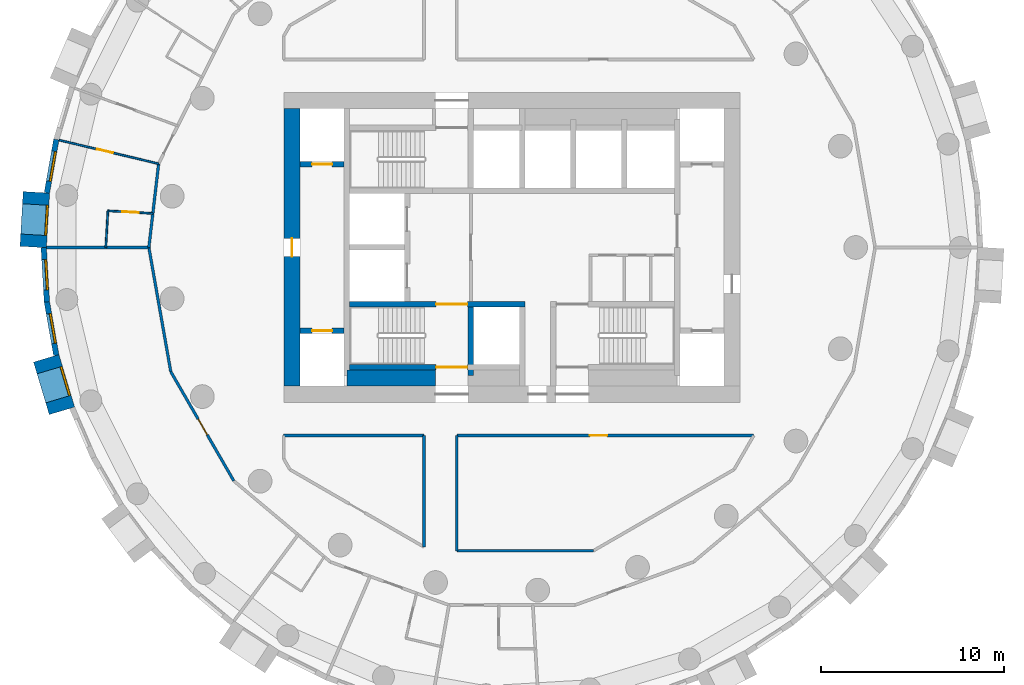
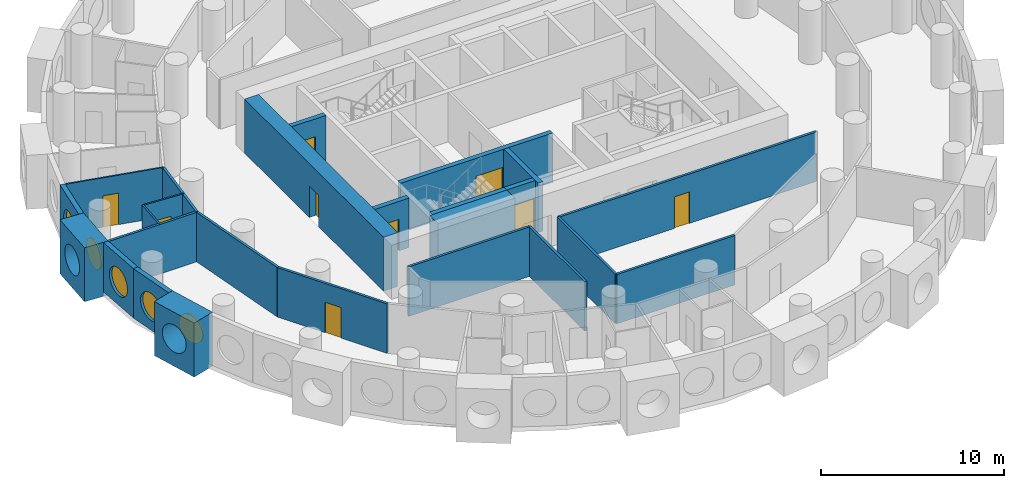
# One storey, part 3 of 9: 25 walls, 9 doors, 5 windows, 14 openings.
"""IFC4 building model written with IfcOpenShell, lengths in metres."""

from ifc_helpers import new_model, si_unit, direction, frame, frame_2d, origin, origin_2d, place, context, subcontext, project, spatial, rectangle, circle, extrude, material, layer, layer_set, type_object, element, fill, save


model = new_model("IFC4")

# Units and contexts
model_context = context("Model", 3, precision=1e-05, world=origin(), true_north=direction((0.0, 1.0)))
body_context = subcontext(model_context, "Body", "Model", "MODEL_VIEW")
ifc_project = project(units=[si_unit("LENGTHUNIT", "METRE"), si_unit("AREAUNIT", "SQUARE_METRE"), si_unit("VOLUMEUNIT", "CUBIC_METRE"), si_unit("PLANEANGLEUNIT", "RADIAN"), si_unit("MASSUNIT", "GRAM", prefix="KILO")], contexts=[model_context])

# Site, building, storey
site_placement = place(None, origin())
site = spatial("IfcSite", under=ifc_project, at=site_placement, CompositionType="ELEMENT")
building_placement = place(site_placement, origin())
building = spatial("IfcBuilding", under=site, at=building_placement, Name="Tracery Tower", CompositionType="ELEMENT")
storey_placement = place(building_placement, frame((0.0, 0.0, 180.0)))
storey = spatial("IfcBuildingStorey", under=building, at=storey_placement, Name="L46", CompositionType="ELEMENT", Elevation=180.0)

# Wall
ifc_material_1 = material(Name="Concrete C50/60", Category="concrete")
ifc_layer_1 = layer(ifc_material_1, 0.89990234375)
ifc_layer_set_1 = layer_set([ifc_layer_1], Name="Core strip wall 900 C50")
wall_type_1 = type_object("IfcWallType", Name="Core strip wall 900 C50", PredefinedType="SOLIDWALL", material=ifc_layer_set_1)
wall_1_placement = place(storey_placement, frame((-9.050048828125, -7.14990234375, 0.0), z_axis=(0.0, 0.0, 1.0), x_axis=(1.0, 0.0, 0.0)))
element("IfcWall", 1, at=wall_1_placement, inside=storey, type_object=wall_type_1, Name="L46 F thick S W", PredefinedType="SOLIDWALL", context=body_context, shape_type="SweptSolid", body=[
    extrude(rectangle(XDim=4.85009765625, YDim=0.89990234375, at=frame_2d((2.425048828125, 0.0))), origin(), (0.0, 0.0, 1.0), 3.300048828125),
])

# Wall, opening, door
ifc_material_2 = material(Name="Concrete C50/60", Category="concrete")
ifc_layer_2 = layer(ifc_material_2, 0.89990234375)
ifc_layer_set_2 = layer_set([ifc_layer_2], Name="Core wall 900 C50")
wall_type_2 = type_object("IfcWallType", Name="Core wall 900 C50", PredefinedType="SOLIDWALL", material=ifc_layer_set_2)
wall_2_placement = place(storey_placement, frame((-12.050048828125, -7.60009765625, 0.0), z_axis=(0.0, 0.0, 1.0), x_axis=(0.0, 1.0, 0.0)))
wall_2 = element("IfcWall", 2, at=wall_2_placement, inside=storey, type_object=wall_type_2, Name="L46 outer W", PredefinedType="SOLIDWALL", context=body_context, shape_type="SweptSolid", body=[
    extrude(rectangle(XDim=15.2001953125, YDim=0.89990234375, at=frame_2d((7.60009765625, 0.0))), origin(), (0.0, 0.0, 1.0), 3.60009765625),
])
opening_1_placement = place(wall_2_placement, frame((7.10009765625, 0.0, 0.0)))
opening_1 = element("IfcOpeningElement", 3, at=opening_1_placement, cuts=wall_2, Name="Opening KD18", PredefinedType="OPENING", context=body_context, shape_type="SweptSolid", body=[
    extrude(rectangle(XDim=1.0, YDim=2.10009765625, at=frame_2d((0.5, 1.050048828125))), frame((0.0, 0.449951171875, 0.0), z_axis=(0.0, -1.0, 0.0), x_axis=(1.0, 0.0, 0.0)), (0.0, 0.0, 1.0), 0.89990234375),
])
ifc_material_3 = material(Name="Steel fire door", Category="steel")
door_type_1 = type_object("IfcDoorType", Name="Core exit door 1000", OperationType="NOTDEFINED", PredefinedType="DOOR", material=ifc_material_3)
door_1_placement = place(opening_1_placement, origin())
door_1 = element("IfcDoor", 4, at=door_1_placement, inside=storey, type_object=door_type_1, Name="Core exit door", OperationType="DOUBLE_DOOR_SINGLE_SWING", OverallHeight=2.10009765625, OverallWidth=1.0, PredefinedType="DOOR", context=body_context, shape_type="SweptSolid", body=[
    extrude(rectangle(XDim=1.0, YDim=2.10009765625, at=frame_2d((0.5, 1.050048828125))), frame((0.0, 0.02490234375, 0.0), z_axis=(0.0, -1.0, 0.0), x_axis=(1.0, 0.0, 0.0)), (0.0, 0.0, 1.0), 0.050048828125),
])
fill(opening_1, door_1)

# Wall, opening, window
ifc_material_4 = material(Name="Precast concrete C50/60", Category="concrete")
ifc_layer_3 = layer(ifc_material_4, 1.449951171875)
ifc_layer_set_3 = layer_set([ifc_layer_3], Name="Deep-set bay unit 3000 x 3600, slab edge 300")
wall_type_3 = type_object("IfcWallType", Name="Deep-set bay unit 3000 x 3600, slab edge 300", PredefinedType="ELEMENTEDWALL", material=ifc_layer_set_3)
wall_3_placement = place(storey_placement, frame((-26.047607421875, 3.01953125, -0.300048828125), z_axis=(0.0, 0.0, 1.0), x_axis=(-0.058106596105, -0.998310384344, 0.0)))
wall_3 = element("IfcWall", 5, at=wall_3_placement, inside=storey, type_object=wall_type_3, Name="Deep-set bay unit 27 at L46", PredefinedType="ELEMENTEDWALL", context=body_context, shape_type="SweptSolid", body=[
    extrude(rectangle(XDim=3.0, YDim=1.449951171875, at=frame_2d((1.5, 0.0))), origin(), (0.0, 0.0, 1.0), 3.60009765625),
])
opening_2_placement = place(wall_3_placement, frame((1.5, 0.0, 1.85009765625)))
opening_2 = element("IfcOpeningElement", 6, at=opening_2_placement, cuts=wall_3, Name="Opening WN1", PredefinedType="OPENING", context=body_context, shape_type="SweptSolid", body=[
    extrude(circle(Radius=0.9000244140625, at=origin_2d()), frame((0.0, 0.73486328125, 0.0), z_axis=(0.0, -1.0, 0.0), x_axis=(1.0, 0.0, 0.0)), (0.0, 0.0, 1.0), 1.469970703125),
])
ifc_material_5 = material(Name="Aluminium frame with tinted double glazing", Category="aluminium")
window_type = type_object("IfcWindowType", Name="Round window 1800", PartitioningType="SINGLE_PANEL", PredefinedType="WINDOW", material=ifc_material_5)
window_1_placement = place(opening_2_placement, origin())
window_1 = element("IfcWindow", 7, at=window_1_placement, inside=storey, type_object=window_type, Name="Round window 27 at L46", OverallHeight=1.800048828125, OverallWidth=1.800048828125, PartitioningType="SINGLE_PANEL", PredefinedType="WINDOW", context=body_context, shape_type="SweptSolid", body=[
    extrude(circle(Radius=0.9000244140625, at=origin_2d()), frame((0.0, 0.69482421875, 0.0), z_axis=(0.0, -1.0, 0.0), x_axis=(1.0, 0.0, 0.0)), (0.0, 0.0, 1.0), 0.10009765625),
])
fill(opening_2, window_1)

wall_4_placement = place(storey_placement, frame((-25.509521484375, -6.0712890625, -0.300048828125), z_axis=(0.0, 0.0, 1.0), x_axis=(0.286780420304, -0.957996341606, 0.0)))
wall_4 = element("IfcWall", 8, at=wall_4_placement, inside=storey, type_object=wall_type_3, Name="Deep-set bay unit 30 at L46", PredefinedType="ELEMENTEDWALL", context=body_context, shape_type="SweptSolid", body=[
    extrude(rectangle(XDim=3.0, YDim=1.449951171875, at=frame_2d((1.5, 0.0))), origin(), (0.0, 0.0, 1.0), 3.60009765625),
])
opening_3_placement = place(wall_4_placement, frame((1.5, 0.0, 1.85009765625)))
opening_3 = element("IfcOpeningElement", 9, at=opening_3_placement, cuts=wall_4, Name="Opening WN1", PredefinedType="OPENING", context=body_context, shape_type="SweptSolid", body=[
    extrude(circle(Radius=0.9000244140625, at=origin_2d()), frame((0.0, 0.73486328125, 0.0), z_axis=(0.0, -1.0, 0.0), x_axis=(1.0, 0.0, 0.0)), (0.0, 0.0, 1.0), 1.469970703125),
])
window_2_placement = place(opening_3_placement, origin())
window_2 = element("IfcWindow", 10, at=window_2_placement, inside=storey, type_object=window_type, Name="Round window 30 at L46", OverallHeight=1.800048828125, OverallWidth=1.800048828125, PartitioningType="SINGLE_PANEL", PredefinedType="WINDOW", context=body_context, shape_type="SweptSolid", body=[
    extrude(circle(Radius=0.9000244140625, at=origin_2d()), frame((0.0, 0.69482421875, 0.0), z_axis=(0.0, -1.0, 0.0), x_axis=(1.0, 0.0, 0.0)), (0.0, 0.0, 1.0), 0.10009765625),
])
fill(opening_3, window_2)

ifc_material_6 = material(Name="Precast concrete C50/60", Category="concrete")
ifc_layer_4 = layer(ifc_material_6, 0.300048828125)
ifc_layer_set_4 = layer_set([ifc_layer_4], Name="Facade panel 3000 x 3300")
wall_type_4 = type_object("IfcWallType", Name="Facade panel 3000 x 3300", PredefinedType="SOLIDWALL", material=ifc_layer_set_4)
wall_5_placement = place(storey_placement, frame((-24.9560546875, 5.914794921875, 0.0), z_axis=(0.0, 0.0, 1.0), x_axis=(-0.173686952598, -0.984800915159, 0.0)))
wall_5 = element("IfcWall", 11, at=wall_5_placement, inside=storey, type_object=wall_type_4, Name="Facade panel 26 at L46", PredefinedType="SOLIDWALL", context=body_context, shape_type="SweptSolid", body=[
    extrude(rectangle(XDim=2.972900390625, YDim=0.300048828125, at=frame_2d((1.486328125, 0.0))), origin(), (0.0, 0.0, 1.0), 3.300048828125),
])
opening_4_placement = place(wall_5_placement, frame((1.486328125, 0.0, 1.5498046875)))
opening_4 = element("IfcOpeningElement", 12, at=opening_4_placement, cuts=wall_5, Name="Opening WN1", PredefinedType="OPENING", context=body_context, shape_type="SweptSolid", body=[
    extrude(circle(Radius=0.9000244140625, at=origin_2d()), frame((0.0, 0.159912109375, 0.0), z_axis=(0.0, -1.0, 0.0), x_axis=(1.0, 0.0, 0.0)), (0.0, 0.0, 1.0), 0.320068359375),
])
window_3_placement = place(opening_4_placement, origin())
window_3 = element("IfcWindow", 13, at=window_3_placement, inside=storey, type_object=window_type, Name="Round window 26 at L46", OverallHeight=1.800048828125, OverallWidth=1.800048828125, PartitioningType="SINGLE_PANEL", PredefinedType="WINDOW", context=body_context, shape_type="SweptSolid", body=[
    extrude(circle(Radius=0.9000244140625, at=origin_2d()), frame((0.0, 0.1201171875, 0.0), z_axis=(0.0, -1.0, 0.0), x_axis=(1.0, 0.0, 0.0)), (0.0, 0.0, 1.0), 0.10009765625),
])
fill(opening_4, window_3)

wall_6_placement = place(storey_placement, frame((-25.64697265625, -0.009521484375, 0.0), z_axis=(0.0, 0.0, 1.0), x_axis=(0.058139540521, -0.998308466271, 0.0)))
wall_6 = element("IfcWall", 14, at=wall_6_placement, inside=storey, type_object=wall_type_4, Name="Facade panel 28 at L46", PredefinedType="SOLIDWALL", context=body_context, shape_type="SweptSolid", body=[
    extrude(rectangle(XDim=2.97314453125, YDim=0.300048828125, at=frame_2d((1.486572265625, 0.0))), origin(), (0.0, 0.0, 1.0), 3.300048828125),
])
opening_5_placement = place(wall_6_placement, frame((1.486328125, 0.0, 1.5498046875)))
opening_5 = element("IfcOpeningElement", 15, at=opening_5_placement, cuts=wall_6, Name="Opening WN1", PredefinedType="OPENING", context=body_context, shape_type="SweptSolid", body=[
    extrude(circle(Radius=0.9000244140625, at=origin_2d()), frame((0.0, 0.159912109375, 0.0), z_axis=(0.0, -1.0, 0.0), x_axis=(1.0, 0.0, 0.0)), (0.0, 0.0, 1.0), 0.320068359375),
])
window_4_placement = place(opening_5_placement, origin())
window_4 = element("IfcWindow", 16, at=window_4_placement, inside=storey, type_object=window_type, Name="Round window 28 at L46", OverallHeight=1.800048828125, OverallWidth=1.800048828125, PartitioningType="SINGLE_PANEL", PredefinedType="WINDOW", context=body_context, shape_type="SweptSolid", body=[
    extrude(circle(Radius=0.9000244140625, at=origin_2d()), frame((0.0, 0.1201171875, 0.0), z_axis=(0.0, -1.0, 0.0), x_axis=(1.0, 0.0, 0.0)), (0.0, 0.0, 1.0), 0.10009765625),
])
fill(opening_5, window_4)

wall_7_placement = place(storey_placement, frame((-25.47412109375, -2.9775390625, 0.0), z_axis=(0.0, 0.0, 1.0), x_axis=(0.173686952598, -0.984800915159, 0.0)))
wall_7 = element("IfcWall", 17, at=wall_7_placement, inside=storey, type_object=wall_type_4, Name="Facade panel 29 at L46", PredefinedType="SOLIDWALL", context=body_context, shape_type="SweptSolid", body=[
    extrude(rectangle(XDim=2.972900390625, YDim=0.300048828125, at=frame_2d((1.486328125, 0.0))), origin(), (0.0, 0.0, 1.0), 3.300048828125),
])
opening_6_placement = place(wall_7_placement, frame((1.486328125, 0.0, 1.5498046875)))
opening_6 = element("IfcOpeningElement", 18, at=opening_6_placement, cuts=wall_7, Name="Opening WN1", PredefinedType="OPENING", context=body_context, shape_type="SweptSolid", body=[
    extrude(circle(Radius=0.9000244140625, at=origin_2d()), frame((0.0, 0.159912109375, 0.0), z_axis=(0.0, -1.0, 0.0), x_axis=(1.0, 0.0, 0.0)), (0.0, 0.0, 1.0), 0.320068359375),
])
window_5_placement = place(opening_6_placement, origin())
window_5 = element("IfcWindow", 19, at=window_5_placement, inside=storey, type_object=window_type, Name="Round window 29 at L46", OverallHeight=1.800048828125, OverallWidth=1.800048828125, PartitioningType="SINGLE_PANEL", PredefinedType="WINDOW", context=body_context, shape_type="SweptSolid", body=[
    extrude(circle(Radius=0.9000244140625, at=origin_2d()), frame((0.0, 0.1201171875, 0.0), z_axis=(0.0, -1.0, 0.0), x_axis=(1.0, 0.0, 0.0)), (0.0, 0.0, 1.0), 0.10009765625),
])
fill(opening_6, window_5)

# Wall, opening, door
ifc_material_7 = material(Name="Plasterboard on steel studs", Category="steel")
ifc_layer_5 = layer(ifc_material_7, 0.10009765625)
ifc_layer_set_5 = layer_set([ifc_layer_5], Name="Partition 100 stud")
wall_type_5 = type_object("IfcWallType", Name="Partition 100 stud", PredefinedType="PARTITIONING", material=ifc_layer_set_5)
wall_8_placement = place(storey_placement, frame((-24.81005859375, 5.8798828125, 0.0), z_axis=(0.0, 0.0, 1.0), x_axis=(0.973029918752, -0.230678948353, 0.0)))
wall_8 = element("IfcWall", 20, at=wall_8_placement, inside=storey, type_object=wall_type_5, Name="Stud partition RB6-050", PredefinedType="PARTITIONING", context=body_context, shape_type="SweptSolid", body=[
    extrude(rectangle(XDim=5.609375, YDim=0.10009765625, at=frame_2d((2.8046875, 0.0))), origin(), (0.0, 0.0, 1.0), 3.300048828125),
])
opening_7_placement = place(wall_8_placement, frame((2.139404296875, 0.0, 0.0)))
opening_7 = element("IfcOpeningElement", 21, at=opening_7_placement, cuts=wall_8, Name="Opening RB6-15", PredefinedType="OPENING", context=body_context, shape_type="SweptSolid", body=[
    extrude(rectangle(XDim=0.89990234375, YDim=2.10009765625, at=frame_2d((0.449951171875, 1.050048828125))), frame((0.0, 0.050048828125, 0.0), z_axis=(0.0, -1.0, 0.0), x_axis=(1.0, 0.0, 0.0)), (0.0, 0.0, 1.0), 0.10009765625),
])
ifc_material_8 = material(Name="Timber door leaf", Category="wood")
door_type_2 = type_object("IfcDoorType", Name="Door bedroom 900", OperationType="NOTDEFINED", PredefinedType="DOOR", material=ifc_material_8)
door_2_placement = place(opening_7_placement, origin())
door_2 = element("IfcDoor", 22, at=door_2_placement, inside=storey, type_object=door_type_2, Name="Bedroom door RB6-15", OperationType="SINGLE_SWING_RIGHT", OverallHeight=2.10009765625, OverallWidth=0.89990234375, PredefinedType="DOOR", context=body_context, shape_type="SweptSolid", body=[
    extrude(rectangle(XDim=0.89990234375, YDim=2.10009765625, at=frame_2d((0.449951171875, 1.050048828125))), frame((0.0, 0.02490234375, 0.0), z_axis=(0.0, -1.0, 0.0), x_axis=(1.0, 0.0, 0.0)), (0.0, 0.0, 1.0), 0.050048828125),
])
fill(opening_7, door_2)

ifc_material_9 = material(Name="Plasterboard on steel studs", Category="steel")
ifc_layer_6 = layer(ifc_material_9, 0.10009765625)
ifc_layer_set_6 = layer_set([ifc_layer_6], Name="Partition 100 wet wall")
wall_type_6 = type_object("IfcWallType", Name="Partition 100 wet wall", PredefinedType="PARTITIONING", material=ifc_layer_set_6)
wall_9_placement = place(storey_placement, frame((-22.1298828125, 2.008056640625, 0.0), z_axis=(0.0, 0.0, 1.0), x_axis=(0.998290052933, -0.058454856216, 0.0)))
wall_9 = element("IfcWall", 23, at=wall_9_placement, inside=storey, type_object=wall_type_6, Name="Wet wall RB6-054", PredefinedType="PARTITIONING", context=body_context, shape_type="SweptSolid", body=[
    extrude(rectangle(XDim=2.464111328125, YDim=0.10009765625, at=frame_2d((1.23193359375, 0.0))), origin(), (0.0, 0.0, 1.0), 3.300048828125),
])
opening_8_placement = place(wall_9_placement, frame((0.7822265625, 0.0, 0.0)))
opening_8 = element("IfcOpeningElement", 24, at=opening_8_placement, cuts=wall_9, Name="Opening RB6-16", PredefinedType="OPENING", context=body_context, shape_type="SweptSolid", body=[
    extrude(rectangle(XDim=0.89990234375, YDim=2.0400390625, at=frame_2d((0.449951171875, 1.02001953125))), frame((0.0, 0.050048828125, 0.0), z_axis=(0.0, -1.0, 0.0), x_axis=(1.0, 0.0, 0.0)), (0.0, 0.0, 1.0), 0.10009765625),
])
ifc_material_10 = material(Name="Timber door leaf", Category="wood")
door_type_3 = type_object("IfcDoorType", Name="Door en-suite 900", OperationType="NOTDEFINED", PredefinedType="DOOR", material=ifc_material_10)
door_3_placement = place(opening_8_placement, origin())
door_3 = element("IfcDoor", 25, at=door_3_placement, inside=storey, type_object=door_type_3, Name="En-suite door RB6-16", OperationType="SINGLE_SWING_LEFT", OverallHeight=2.0400390625, OverallWidth=0.89990234375, PredefinedType="DOOR", context=body_context, shape_type="SweptSolid", body=[
    extrude(rectangle(XDim=0.89990234375, YDim=2.0400390625, at=frame_2d((0.449951171875, 1.02001953125))), frame((0.0, 0.02490234375, 0.0), z_axis=(0.0, -1.0, 0.0), x_axis=(1.0, 0.0, 0.0)), (0.0, 0.0, 1.0), 0.050048828125),
])
fill(opening_8, door_3)

# Walls
wall_10_placement = place(storey_placement, frame((-22.2470703125, 0.0, 0.0), z_axis=(0.0, 0.0, 1.0), x_axis=(0.058259538708, 0.998301470574, 0.0)))
element("IfcWall", 26, at=wall_10_placement, inside=storey, type_object=wall_type_6, Name="Wet wall RB6-055", PredefinedType="PARTITIONING", context=body_context, shape_type="SweptSolid", body=[
    extrude(rectangle(XDim=2.011474609375, YDim=0.10009765625, at=frame_2d((1.005859375, 0.0))), origin(), (0.0, 0.0, 1.0), 3.300048828125),
])
ifc_material_11 = material(Name="Plasterboard on steel studs", Category="steel")
ifc_layer_7 = layer(ifc_material_11, 0.14990234375)
ifc_layer_set_7 = layer_set([ifc_layer_7], Name="Partition 150 acoustic unit wall")
wall_type_7 = type_object("IfcWallType", Name="Partition 150 acoustic unit wall", PredefinedType="PARTITIONING", material=ifc_layer_set_7)
wall_11_placement = place(storey_placement, frame((-25.4970703125, 0.0, 0.0), z_axis=(0.0, 0.0, 1.0), x_axis=(1.0, 0.0, 0.0)))
element("IfcWall", 27, at=wall_11_placement, inside=storey, type_object=wall_type_7, Name="Unit wall RB6-056", PredefinedType="PARTITIONING", context=body_context, shape_type="SweptSolid", body=[
    extrude(rectangle(XDim=5.609130859375, YDim=0.14990234375, at=frame_2d((2.8046875, 0.0))), origin(), (0.0, 0.0, 1.0), 3.300048828125),
])
ifc_material_12 = material(Name="Plasterboard on steel studs", Category="steel")
ifc_layer_8 = layer(ifc_material_12, 0.14990234375)
ifc_layer_set_8 = layer_set([ifc_layer_8], Name="Partition 150 corridor wall")
wall_type_8 = type_object("IfcWallType", Name="Partition 150 corridor wall", PredefinedType="PARTITIONING", material=ifc_layer_set_8)
wall_12_placement = place(storey_placement, frame((-12.50390625, -10.300048828125, 0.0), z_axis=(0.0, 0.0, 1.0), x_axis=(1.0, 0.0, 0.0)))
element("IfcWall", 28, at=wall_12_placement, inside=storey, type_object=wall_type_8, Name="Corridor wall RB6-003", PredefinedType="PARTITIONING", context=body_context, shape_type="SweptSolid", body=[
    extrude(rectangle(XDim=7.68701171875, YDim=0.14990234375, at=frame_2d((3.843505859375, 0.0))), origin(), (0.0, 0.0, 1.0), 3.300048828125),
])

# Wall, opening, door
wall_13_placement = place(storey_placement, frame((-3.02490234375, -10.300048828125, 0.0), z_axis=(0.0, 0.0, 1.0), x_axis=(1.0, 0.0, 0.0)))
wall_13 = element("IfcWall", 29, at=wall_13_placement, inside=storey, type_object=wall_type_8, Name="Corridor wall RB6-004", PredefinedType="PARTITIONING", context=body_context, shape_type="SweptSolid", body=[
    extrude(rectangle(XDim=16.261962890625, YDim=0.14990234375, at=frame_2d((8.130859375, 0.0))), origin(), (0.0, 0.0, 1.0), 3.300048828125),
])
opening_9_placement = place(wall_13_placement, frame((7.287109375, 0.0, 0.0)))
opening_9 = element("IfcOpeningElement", 30, at=opening_9_placement, cuts=wall_13, Name="Opening RB6-04", PredefinedType="OPENING", context=body_context, shape_type="SweptSolid", body=[
    extrude(rectangle(XDim=0.949951171875, YDim=2.10009765625, at=frame_2d((0.47509765625, 1.050048828125))), frame((0.0, 0.074951171875, 0.0), z_axis=(0.0, -1.0, 0.0), x_axis=(1.0, 0.0, 0.0)), (0.0, 0.0, 1.0), 0.14990234375),
])
ifc_material_13 = material(Name="Timber door leaf", Category="wood")
door_type_4 = type_object("IfcDoorType", Name="Door store 950", OperationType="NOTDEFINED", PredefinedType="DOOR", material=ifc_material_13)
door_4_placement = place(opening_9_placement, origin())
door_4 = element("IfcDoor", 31, at=door_4_placement, inside=storey, type_object=door_type_4, Name="Store door RB6-04", OperationType="SINGLE_SWING_RIGHT", OverallHeight=2.10009765625, OverallWidth=0.949951171875, PredefinedType="DOOR", context=body_context, shape_type="SweptSolid", body=[
    extrude(rectangle(XDim=0.949951171875, YDim=2.10009765625, at=frame_2d((0.47509765625, 1.050048828125))), frame((0.0, 0.02490234375, 0.0), z_axis=(0.0, -1.0, 0.0), x_axis=(1.0, 0.0, 0.0)), (0.0, 0.0, 1.0), 0.050048828125),
])
fill(opening_9, door_4)

# Wall
wall_14_placement = place(storey_placement, frame((-19.888671875, 0.0, 0.0), z_axis=(0.0, 0.0, 1.0), x_axis=(0.116221510549, 0.993223318537, 0.0)))
element("IfcWall", 32, at=wall_14_placement, inside=storey, type_object=wall_type_8, Name="Corridor wall RB6-027", PredefinedType="PARTITIONING", context=body_context, shape_type="SweptSolid", body=[
    extrude(rectangle(XDim=4.6171875, YDim=0.14990234375, at=frame_2d((2.30859375, 0.0))), origin(), (0.0, 0.0, 1.0), 3.300048828125),
])

# Wall, opening, door
wall_15_placement = place(storey_placement, frame((-18.68798828125, -6.802001953125, 0.0), z_axis=(0.0, 0.0, 1.0), x_axis=(0.499914202267, -0.866074933462, 0.0)))
wall_15 = element("IfcWall", 33, at=wall_15_placement, inside=storey, type_object=wall_type_8, Name="Corridor wall RB6-029", PredefinedType="PARTITIONING", context=body_context, shape_type="SweptSolid", body=[
    extrude(rectangle(XDim=6.906982421875, YDim=0.14990234375, at=frame_2d((3.45361328125, 0.0))), origin(), (0.0, 0.0, 1.0), 3.300048828125),
])
opening_10_placement = place(wall_15_placement, frame((3.003173828125, 0.0, 0.0)))
opening_10 = element("IfcOpeningElement", 34, at=opening_10_placement, cuts=wall_15, Name="Opening RB6-17", PredefinedType="OPENING", context=body_context, shape_type="SweptSolid", body=[
    extrude(rectangle(XDim=1.0, YDim=2.0400390625, at=frame_2d((0.5, 1.02001953125))), frame((0.0, 0.074951171875, 0.0), z_axis=(0.0, -1.0, 0.0), x_axis=(1.0, 0.0, 0.0)), (0.0, 0.0, 1.0), 0.14990234375),
])
ifc_material_14 = material(Name="Timber door leaf", Category="wood")
door_type_5 = type_object("IfcDoorType", Name="Door communal room 1000", OperationType="NOTDEFINED", PredefinedType="DOOR", material=ifc_material_14)
door_5_placement = place(opening_10_placement, origin())
door_5 = element("IfcDoor", 35, at=door_5_placement, inside=storey, type_object=door_type_5, Name="Communal room door RB6-17", OperationType="SINGLE_SWING_LEFT", OverallHeight=2.0400390625, OverallWidth=1.0, PredefinedType="DOOR", context=body_context, shape_type="SweptSolid", body=[
    extrude(rectangle(XDim=1.0, YDim=2.0400390625, at=frame_2d((0.5, 1.02001953125))), frame((0.0, 0.02490234375, 0.0), z_axis=(0.0, -1.0, 0.0), x_axis=(1.0, 0.0, 0.0)), (0.0, 0.0, 1.0), 0.050048828125),
])
fill(opening_10, door_5)

# Walls
wall_16_placement = place(storey_placement, frame((-19.887939453125, 0.0, 0.0), z_axis=(0.0, 0.0, 1.0), x_axis=(0.173728873845, -0.98479352069, 0.0)))
element("IfcWall", 36, at=wall_16_placement, inside=storey, type_object=wall_type_8, Name="Corridor wall RB6-030", PredefinedType="PARTITIONING", context=body_context, shape_type="SweptSolid", body=[
    extrude(rectangle(XDim=6.906982421875, YDim=0.14990234375, at=frame_2d((3.45361328125, 0.0))), origin(), (0.0, 0.0, 1.0), 3.300048828125),
])
wall_17_placement = place(storey_placement, frame((-4.821044921875, -16.40087890625, 0.0), z_axis=(0.0, 0.0, 1.0), x_axis=(0.0, 1.0, 0.0)))
element("IfcWall", 37, at=wall_17_placement, inside=storey, type_object=wall_type_8, Name="Corridor wall RB6-032", PredefinedType="PARTITIONING", context=body_context, shape_type="SweptSolid", body=[
    extrude(rectangle(XDim=6.100830078125, YDim=0.14990234375, at=frame_2d((3.05029296875, 0.0))), origin(), (0.0, 0.0, 1.0), 3.300048828125),
])
wall_18_placement = place(storey_placement, frame((-3.02099609375, -16.614013671875, 0.0), z_axis=(0.0, 0.0, 1.0), x_axis=(0.0, 1.0, 0.0)))
element("IfcWall", 38, at=wall_18_placement, inside=storey, type_object=wall_type_8, Name="Corridor wall RB6-033", PredefinedType="PARTITIONING", context=body_context, shape_type="SweptSolid", body=[
    extrude(rectangle(XDim=6.31396484375, YDim=0.14990234375, at=frame_2d((3.156982421875, 0.0))), origin(), (0.0, 0.0, 1.0), 3.300048828125),
])
wall_19_placement = place(storey_placement, frame((-3.02099609375, -16.614013671875, 0.0), z_axis=(0.0, 0.0, 1.0), x_axis=(1.0, 0.0, 0.0)))
element("IfcWall", 39, at=wall_19_placement, inside=storey, type_object=wall_type_8, Name="Corridor wall RB6-034", PredefinedType="PARTITIONING", context=body_context, shape_type="SweptSolid", body=[
    extrude(rectangle(XDim=7.472900390625, YDim=0.14990234375, at=frame_2d((3.736328125, 0.0))), origin(), (0.0, 0.0, 1.0), 3.300048828125),
])

# Wall, opening, door
ifc_material_15 = material(Name="Concrete C50/60", Category="concrete")
ifc_layer_9 = layer(ifc_material_15, 0.300048828125)
ifc_layer_set_9 = layer_set([ifc_layer_9], Name="Shaft wall 300 C50")
wall_type_9 = type_object("IfcWallType", Name="Shaft wall 300 C50", PredefinedType="SOLIDWALL", material=ifc_layer_set_9)
wall_20_placement = place(storey_placement, frame((-11.60009765625, -4.550048828125, 0.0), z_axis=(0.0, 0.0, 1.0), x_axis=(1.0, 0.0, 0.0)))
wall_20 = element("IfcWall", 40, at=wall_20_placement, inside=storey, type_object=wall_type_9, Name="L46 MR W -4.55", PredefinedType="SOLIDWALL", context=body_context, shape_type="SweptSolid", body=[
    extrude(rectangle(XDim=2.400146484375, YDim=0.300048828125, at=frame_2d((1.2001953125, 0.0))), origin(), (0.0, 0.0, 1.0), 3.300048828125),
])
opening_11_placement = place(wall_20_placement, frame((0.64990234375, 0.0, 0.0)))
opening_11 = element("IfcOpeningElement", 41, at=opening_11_placement, cuts=wall_20, Name="Opening KD50", PredefinedType="OPENING", context=body_context, shape_type="SweptSolid", body=[
    extrude(rectangle(XDim=1.10009765625, YDim=2.10009765625, at=frame_2d((0.550048828125, 1.050048828125))), frame((0.0, 0.14990234375, 0.0), z_axis=(0.0, -1.0, 0.0), x_axis=(1.0, 0.0, 0.0)), (0.0, 0.0, 1.0), 0.300048828125),
])
ifc_material_16 = material(Name="Steel fire door", Category="steel")
door_type_6 = type_object("IfcDoorType", Name="Landing door 1100", OperationType="NOTDEFINED", PredefinedType="DOOR", material=ifc_material_16)
door_6_placement = place(opening_11_placement, origin())
door_6 = element("IfcDoor", 42, at=door_6_placement, inside=storey, type_object=door_type_6, Name="Landing door MR1", OperationType="SLIDING_TO_RIGHT", OverallHeight=2.10009765625, OverallWidth=1.10009765625, PredefinedType="DOOR", context=body_context, shape_type="SweptSolid", body=[
    extrude(rectangle(XDim=1.10009765625, YDim=2.10009765625, at=frame_2d((0.550048828125, 1.050048828125))), frame((0.0, 0.02490234375, 0.0), z_axis=(0.0, -1.0, 0.0), x_axis=(1.0, 0.0, 0.0)), (0.0, 0.0, 1.0), 0.050048828125),
])
fill(opening_11, door_6)

wall_21_placement = place(storey_placement, frame((-11.60009765625, 4.550048828125, 0.0), z_axis=(0.0, 0.0, 1.0), x_axis=(1.0, 0.0, 0.0)))
wall_21 = element("IfcWall", 43, at=wall_21_placement, inside=storey, type_object=wall_type_9, Name="L46 MR W +4.55", PredefinedType="SOLIDWALL", context=body_context, shape_type="SweptSolid", body=[
    extrude(rectangle(XDim=2.400146484375, YDim=0.300048828125, at=frame_2d((1.2001953125, 0.0))), origin(), (0.0, 0.0, 1.0), 3.300048828125),
])
opening_12_placement = place(wall_21_placement, frame((0.64990234375, 0.0, 0.0)))
opening_12 = element("IfcOpeningElement", 44, at=opening_12_placement, cuts=wall_21, Name="Opening KD49", PredefinedType="OPENING", context=body_context, shape_type="SweptSolid", body=[
    extrude(rectangle(XDim=1.10009765625, YDim=2.10009765625, at=frame_2d((0.550048828125, 1.050048828125))), frame((0.0, 0.14990234375, 0.0), z_axis=(0.0, -1.0, 0.0), x_axis=(1.0, 0.0, 0.0)), (0.0, 0.0, 1.0), 0.300048828125),
])
door_7_placement = place(opening_12_placement, origin())
door_7 = element("IfcDoor", 45, at=door_7_placement, inside=storey, type_object=door_type_6, Name="Landing door MR2", OperationType="SLIDING_TO_LEFT", OverallHeight=2.10009765625, OverallWidth=1.10009765625, PredefinedType="DOOR", context=body_context, shape_type="SweptSolid", body=[
    extrude(rectangle(XDim=1.10009765625, YDim=2.10009765625, at=frame_2d((0.550048828125, 1.050048828125))), frame((0.0, 0.02490234375, 0.0), z_axis=(0.0, -1.0, 0.0), x_axis=(1.0, 0.0, 0.0)), (0.0, 0.0, 1.0), 0.050048828125),
])
fill(opening_12, door_7)

ifc_material_17 = material(Name="Concrete C50/60", Category="concrete")
ifc_layer_10 = layer(ifc_material_17, 0.300048828125)
ifc_layer_set_10 = layer_set([ifc_layer_10], Name="Stair wall 300 C50")
wall_type_10 = type_object("IfcWallType", Name="Stair wall 300 C50", PredefinedType="SOLIDWALL", material=ifc_layer_set_10)
wall_22_placement = place(storey_placement, frame((-8.89990234375, -3.10009765625, 0.0), z_axis=(0.0, 0.0, 1.0), x_axis=(1.0, 0.0, 0.0)))
wall_22 = element("IfcWall", 46, at=wall_22_placement, inside=storey, type_object=wall_type_10, Name="L46 row S", PredefinedType="SOLIDWALL", context=body_context, shape_type="SweptSolid", body=[
    extrude(rectangle(XDim=9.599853515625, YDim=0.300048828125, at=frame_2d((4.7998046875, 0.0))), origin(), (0.0, 0.0, 1.0), 3.300048828125),
])
opening_13_placement = place(wall_22_placement, frame((4.75, 0.0, 0.0)))
opening_13 = element("IfcOpeningElement", 47, at=opening_13_placement, cuts=wall_22, Name="Opening KD3", PredefinedType="OPENING", context=body_context, shape_type="SweptSolid", body=[
    extrude(rectangle(XDim=1.699951171875, YDim=2.10009765625, at=frame_2d((0.85009765625, 1.050048828125))), frame((0.0, 0.14990234375, 0.0), z_axis=(0.0, -1.0, 0.0), x_axis=(1.0, 0.0, 0.0)), (0.0, 0.0, 1.0), 0.300048828125),
])
ifc_material_18 = material(Name="Steel fire door", Category="steel")
door_type_7 = type_object("IfcDoorType", Name="Core stair door 1700 double", OperationType="NOTDEFINED", PredefinedType="DOOR", material=ifc_material_18)
door_8_placement = place(opening_13_placement, origin())
door_8 = element("IfcDoor", 48, at=door_8_placement, inside=storey, type_object=door_type_7, Name="Stair door ST1", OperationType="DOUBLE_DOOR_SINGLE_SWING", OverallHeight=2.10009765625, OverallWidth=1.699951171875, PredefinedType="DOOR", context=body_context, shape_type="SweptSolid", body=[
    extrude(rectangle(XDim=1.699951171875, YDim=2.10009765625, at=frame_2d((0.85009765625, 1.050048828125))), frame((0.0, 0.02490234375, 0.0), z_axis=(0.0, -1.0, 0.0), x_axis=(1.0, 0.0, 0.0)), (0.0, 0.0, 1.0), 0.050048828125),
])
fill(opening_13, door_8)

# Walls
wall_23_placement = place(storey_placement, frame((-2.25, -7.0, 0.0), z_axis=(0.0, 0.0, 1.0), x_axis=(0.0, 1.0, 0.0)))
element("IfcWall", 49, at=wall_23_placement, inside=storey, type_object=wall_type_10, Name="L46 ST1 E", PredefinedType="SOLIDWALL", context=body_context, shape_type="SweptSolid", body=[
    extrude(rectangle(XDim=3.75, YDim=0.300048828125, at=frame_2d((1.875, 0.0))), origin(), (0.0, 0.0, 1.0), 3.300048828125),
])
wall_24_placement = place(storey_placement, frame((-8.89990234375, -6.550048828125, 0.0), z_axis=(0.0, 0.0, 1.0), x_axis=(1.0, 0.0, 0.0)))
element("IfcWall", 50, at=wall_24_placement, inside=storey, type_object=wall_type_10, Name="L46 F stair strip S W", PredefinedType="SOLIDWALL", context=body_context, shape_type="SweptSolid", body=[
    extrude(rectangle(XDim=4.699951171875, YDim=0.300048828125, at=frame_2d((2.35009765625, 0.0))), origin(), (0.0, 0.0, 1.0), 3.300048828125),
])

# Wall, opening, door
wall_25_placement = place(storey_placement, frame((-4.199951171875, -6.550048828125, 0.0), z_axis=(0.0, 0.0, 1.0), x_axis=(1.0, 0.0, 0.0)))
wall_25 = element("IfcWall", 51, at=wall_25_placement, inside=storey, type_object=wall_type_10, Name="L46 F stair S W", PredefinedType="SOLIDWALL", context=body_context, shape_type="SweptSolid", body=[
    extrude(rectangle(XDim=1.800048828125, YDim=0.300048828125, at=frame_2d((0.89990234375, 0.0))), origin(), (0.0, 0.0, 1.0), 3.300048828125),
])
opening_14_placement = place(wall_25_placement, frame((0.050048828125, 0.0, 0.0)))
opening_14 = element("IfcOpeningElement", 52, at=opening_14_placement, cuts=wall_25, Name="Opening KD3", PredefinedType="OPENING", context=body_context, shape_type="SweptSolid", body=[
    extrude(rectangle(XDim=1.699951171875, YDim=2.10009765625, at=frame_2d((0.85009765625, 1.050048828125))), frame((0.0, 0.14990234375, 0.0), z_axis=(0.0, -1.0, 0.0), x_axis=(1.0, 0.0, 0.0)), (0.0, 0.0, 1.0), 0.300048828125),
])
door_9_placement = place(opening_14_placement, origin())
door_9 = element("IfcDoor", 53, at=door_9_placement, inside=storey, type_object=door_type_7, Name="Stair door vest", OperationType="DOUBLE_DOOR_SINGLE_SWING", OverallHeight=2.10009765625, OverallWidth=1.699951171875, PredefinedType="DOOR", context=body_context, shape_type="SweptSolid", body=[
    extrude(rectangle(XDim=1.699951171875, YDim=2.10009765625, at=frame_2d((0.85009765625, 1.050048828125))), frame((0.0, 0.02490234375, 0.0), z_axis=(0.0, -1.0, 0.0), x_axis=(1.0, 0.0, 0.0)), (0.0, 0.0, 1.0), 0.050048828125),
])
fill(opening_14, door_9)

save(model, "model.ifc")
